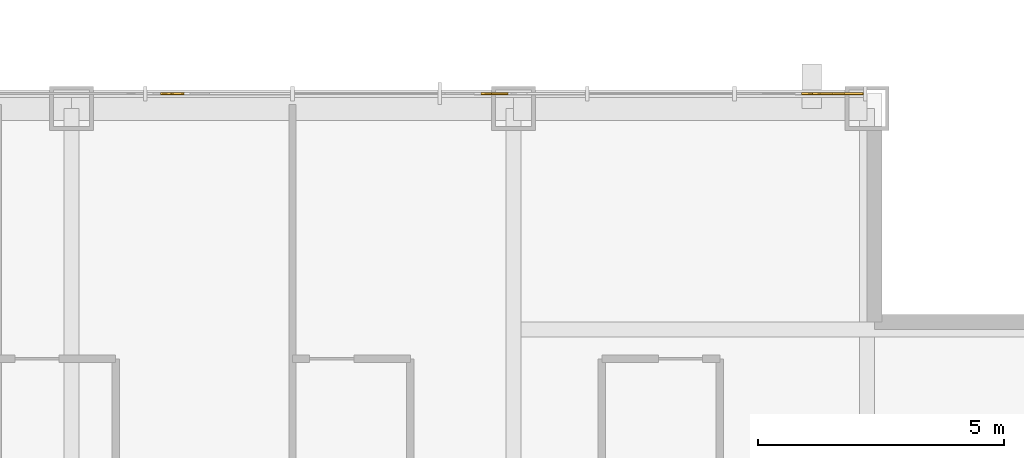
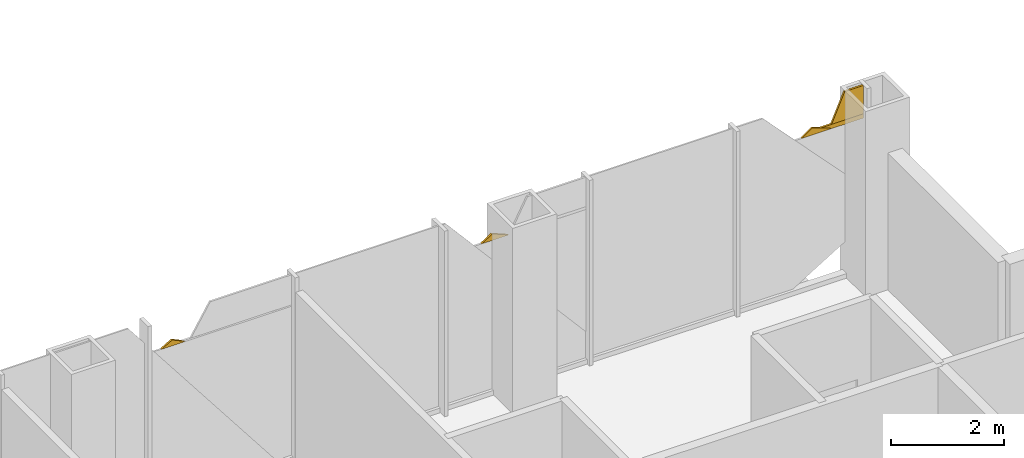
# One storey, part 23 of 23: 5 coverings.
"""IFC4 building model written with IfcOpenShell, lengths in metres."""

from ifc_helpers import new_model, si_unit, direction, frame, origin, place, context, subcontext, project, spatial, polyline, outline, extrude, material, layer, layer_set, type_object, element, save


model = new_model("IFC4")

# Units and contexts
model_context = context("Model", 3, precision=1e-05, world=origin(), true_north=direction((0.0, 1.0)))
body_context = subcontext(model_context, "Body", "Model", "MODEL_VIEW")
ifc_project = project(units=[si_unit("LENGTHUNIT", "METRE"), si_unit("AREAUNIT", "SQUARE_METRE"), si_unit("VOLUMEUNIT", "CUBIC_METRE"), si_unit("PLANEANGLEUNIT", "RADIAN"), si_unit("MASSUNIT", "GRAM", prefix="KILO")], contexts=[model_context])

# Site, building, storey
site_placement = place(None, origin())
site = spatial("IfcSite", under=ifc_project, at=site_placement, CompositionType="ELEMENT")
building_placement = place(site_placement, origin())
building = spatial("IfcBuilding", under=site, at=building_placement, Name="Malebo Sky Hospital", CompositionType="ELEMENT")
storey_placement = place(building_placement, frame((0.0, 0.0, 91.0)))
storey = spatial("IfcBuildingStorey", under=building, at=storey_placement, Name="L21", CompositionType="ELEMENT", Elevation=91.0)

# Coverings
ifc_material = material(Name="Anodised aluminium, natural silver insulated infill panel", Category="aluminium")
ifc_layer = layer(ifc_material, 0.0400390625)
ifc_layer_set = layer_set([ifc_layer], Name="BRACE INFILL PANEL 40")
covering_type = type_object("IfcCoveringType", Name="BRACE INFILL PANEL 40", PredefinedType="CLADDING", material=ifc_layer_set)
covering_1_placement = place(storey_placement, frame((66.55419921875, 87.5, 3.31201171875), z_axis=(0.0, 0.0, 1.0), x_axis=(1.0, 0.0, 0.0)))
element("IfcCovering", 1, at=covering_1_placement, inside=storey, type_object=covering_type, Name="Brace infill panel 10.3", PredefinedType="CLADDING", context=body_context, shape_type="SweptSolid", body=[
    extrude(outline(polyline([(-0.239990234375, 0.0), (0.23974609375, 0.0), (-0.02587890625, 0.125732421875), (-0.239990234375, 0.0)])), frame((0.0, 0.02001953125, 0.0), z_axis=(0.0, -1.0, 0.0), x_axis=(1.0, 0.0, 0.0)), (0.0, 0.0, 1.0), 0.0400390625),
])
covering_2_placement = place(storey_placement, frame((73.114990234375, 87.5, 3.298828125), z_axis=(0.0, 0.0, 1.0), x_axis=(1.0, 0.0, 0.0)))
element("IfcCovering", 2, at=covering_2_placement, inside=storey, type_object=covering_type, Name="Brace infill panel 12.3", PredefinedType="CLADDING", context=body_context, shape_type="SweptSolid", body=[
    extrude(outline(polyline([(-0.27392578125, 0.0), (0.27392578125, 0.0), (-0.05810546875, 0.1396484375), (-0.27392578125, 0.0)])), frame((0.0, 0.02001953125, 0.0), z_axis=(0.0, -1.0, 0.0), x_axis=(1.0, 0.0, 0.0)), (0.0, 0.0, 1.0), 0.0400390625),
])
covering_3_placement = place(storey_placement, frame((80.300537109375, 87.5, 3.3779296875), z_axis=(0.0, 0.0, 1.0), x_axis=(1.0, 0.0, 0.0)))
element("IfcCovering", 3, at=covering_3_placement, inside=storey, type_object=covering_type, Name="Brace infill panel 14.2", PredefinedType="CLADDING", context=body_context, shape_type="SweptSolid", body=[
    extrude(outline(polyline([(-0.324462890625, 0.0), (0.32421875, 0.0), (0.32421875, 0.612060546875), (-0.05615234375, 0.612060546875), (-0.324462890625, 0.0)])), frame((0.0, 0.02001953125, 0.0), z_axis=(0.0, -1.0, 0.0), x_axis=(1.0, 0.0, 0.0)), (0.0, 0.0, 1.0), 0.0400390625),
])
covering_4_placement = place(storey_placement, frame((79.68212890625, 87.5, 3.286865234375), z_axis=(0.0, 0.0, 1.0), x_axis=(1.0, 0.0, 0.0)))
element("IfcCovering", 4, at=covering_4_placement, inside=storey, type_object=covering_type, Name="Brace infill panel 14.3", PredefinedType="CLADDING", context=body_context, shape_type="SweptSolid", body=[
    extrude(outline(polyline([(-0.31298828125, 0.0), (0.31298828125, 0.0), (-0.097412109375, 0.15234375), (-0.31298828125, 0.0)])), frame((0.0, 0.02001953125, 0.0), z_axis=(0.0, -1.0, 0.0), x_axis=(1.0, 0.0, 0.0)), (0.0, 0.0, 1.0), 0.0400390625),
])
covering_5_placement = place(storey_placement, frame((80.187255859375, 87.5, 3.28662109375), z_axis=(0.0, 0.0, 1.0), x_axis=(1.0, 0.0, 0.0)))
element("IfcCovering", 5, at=covering_5_placement, inside=storey, type_object=covering_type, Name="Brace infill panel 14.4", PredefinedType="CLADDING", context=body_context, shape_type="SweptSolid", body=[
    extrude(outline(polyline([(-0.192138671875, 0.0), (0.437744140625, 0.0), (0.437744140625, 0.091064453125), (-0.4375, 0.091064453125), (-0.192138671875, 0.0)])), frame((0.0, 0.02001953125, 0.0), z_axis=(0.0, -1.0, 0.0), x_axis=(1.0, 0.0, 0.0)), (0.0, 0.0, 1.0), 0.0400390625),
])

save(model, "model.ifc")
